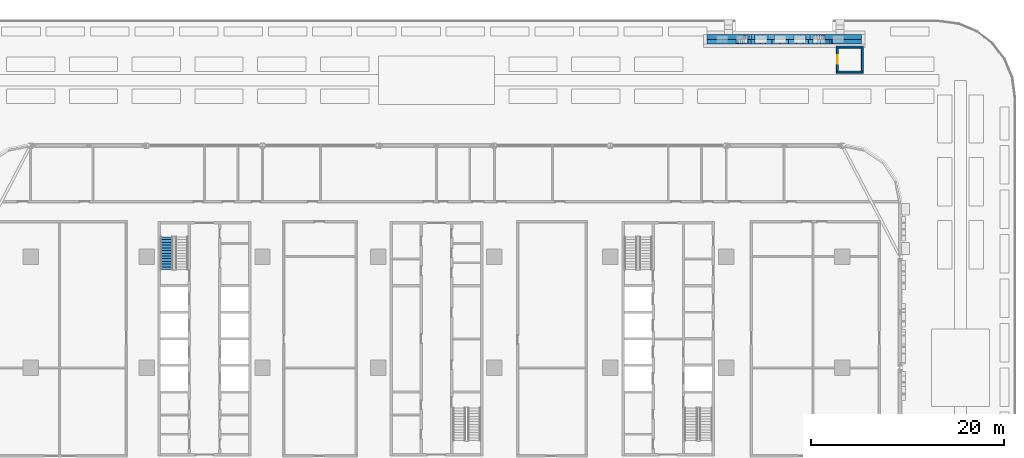
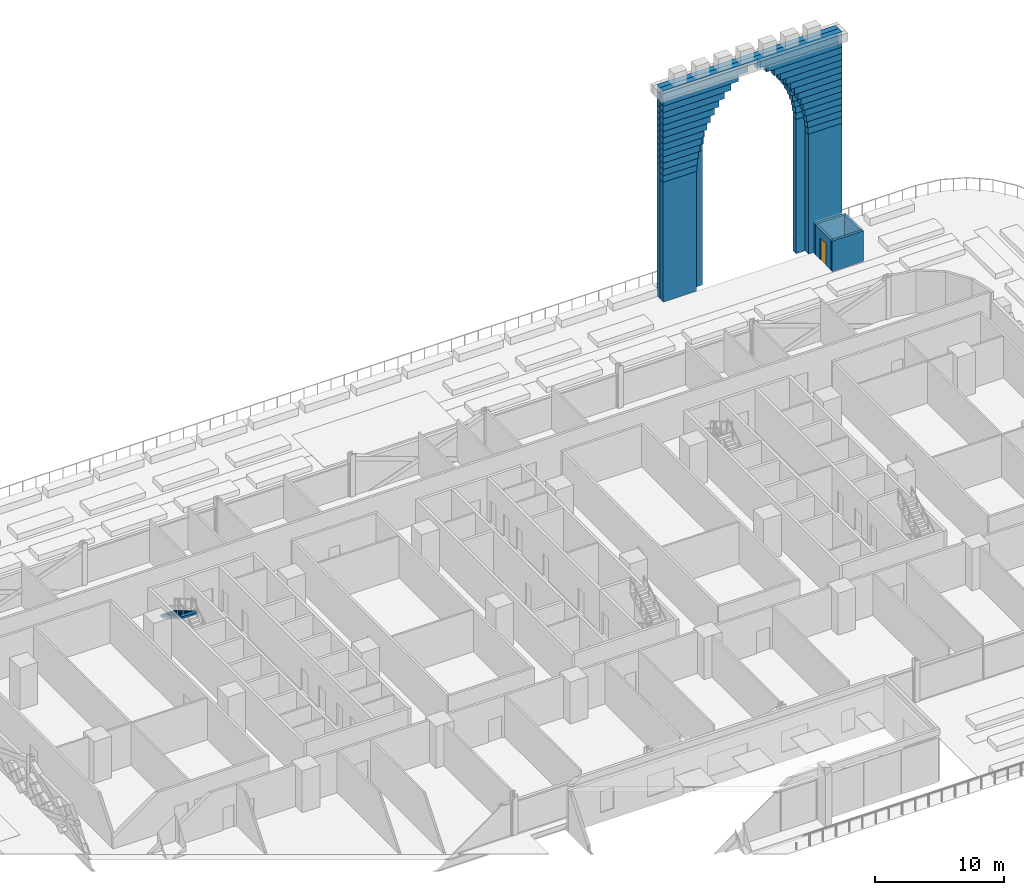
# One storey, part 18 of 39: 61 walls, 1 door, 1 stair flight, 1 opening, 1 element without a shape of its own.
"""IFC4 building model written with IfcOpenShell, lengths in metres."""

from ifc_helpers import new_model, si_unit, direction, frame, frame_2d, origin, place, context, subcontext, project, spatial, polyline, rectangle, outline, extrude, material, layer, layer_set, type_object, element, fill, aggregate, save


model = new_model("IFC4")

# Units and contexts
model_context = context("Model", 3, precision=1e-05, world=origin(), true_north=direction((0.0, 1.0)))
body_context = subcontext(model_context, "Body", "Model", "MODEL_VIEW")
ifc_project = project(units=[si_unit("LENGTHUNIT", "METRE"), si_unit("AREAUNIT", "SQUARE_METRE"), si_unit("VOLUMEUNIT", "CUBIC_METRE"), si_unit("PLANEANGLEUNIT", "RADIAN"), si_unit("MASSUNIT", "GRAM", prefix="KILO")], contexts=[model_context])

# Site, building, storey
site_placement = place(None, origin())
site = spatial("IfcSite", under=ifc_project, at=site_placement, CompositionType="ELEMENT")
building_placement = place(site_placement, origin())
building = spatial("IfcBuilding", under=site, at=building_placement, Name="Mahtab Terrace Research Tower", CompositionType="ELEMENT")
storey_placement = place(building_placement, frame((0.0, 0.0, 7.199951171875)))
storey = spatial("IfcBuildingStorey", under=building, at=storey_placement, Name="L01", CompositionType="ELEMENT", Elevation=7.199951171875)

# Walls
ifc_material_1 = material(Name="Concrete C40/50", Category="concrete")
ifc_layer_1 = layer(ifc_material_1, 0.199951171875)
ifc_layer_set_1 = layer_set([ifc_layer_1], Name="Deck kiosk wall 200")
wall_type_1 = type_object("IfcWallType", Name="Deck kiosk wall 200", PredefinedType="SOLIDWALL", material=ifc_layer_set_1)
for number, where, z_axis, x_axis, name in (
    (1, (41.39990234375, 30.60009765625, 0.0), (0.0, 0.0, 1.0), (1.0, 0.0, 0.0), "Deck kiosk wall PS2"),
    (2, (41.39990234375, 33.199951171875, 0.0), (0.0, 0.0, 1.0), (1.0, 0.0, 0.0), "Deck kiosk wall PS2"),
):
    element("IfcWall", number, at=place(storey_placement, frame(where, z_axis=z_axis, x_axis=x_axis)), inside=storey, type_object=wall_type_1, Name=name, PredefinedType="SOLIDWALL", context=body_context, shape_type="SweptSolid", body=[
        extrude(rectangle(XDim=2.800048828125, YDim=0.199951171875, at=frame_2d((1.39990234375, 0.0))), origin(), (0.0, 0.0, 1.0), 2.900146484375),
    ])

# Wall, opening, door
wall_1_placement = place(storey_placement, frame((41.5, 30.699951171875, 0.0), z_axis=(0.0, 0.0, 1.0), x_axis=(0.0, 1.0, 0.0)))
wall_1 = element("IfcWall", 3, at=wall_1_placement, inside=storey, type_object=wall_type_1, Name="Deck kiosk wall PS2", PredefinedType="SOLIDWALL", context=body_context, shape_type="SweptSolid", body=[
    extrude(rectangle(XDim=2.400146484375, YDim=0.199951171875, at=frame_2d((1.2001953125, 0.0))), origin(), (0.0, 0.0, 1.0), 2.900146484375),
])
opening_placement = place(wall_1_placement, frame((0.75, 0.0, 0.0)))
opening = element("IfcOpeningElement", 4, at=opening_placement, cuts=wall_1, Name="Opening DK-2", PredefinedType="OPENING", context=body_context, shape_type="SweptSolid", body=[
    extrude(rectangle(XDim=0.89990234375, YDim=2.10009765625, at=frame_2d((0.449951171875, 1.050048828125))), frame((0.0, 0.10986328125, 0.0), z_axis=(0.0, -1.0, 0.0), x_axis=(1.0, 0.0, 0.0)), (0.0, 0.0, 1.0), 0.219970703125),
])
ifc_material_2 = material(Name="Aluminium framed glazed door", Category="aluminium")
door_type = type_object("IfcDoorType", Name="Deck kiosk door 900x2100", OperationType="NOTDEFINED", PredefinedType="DOOR", material=ifc_material_2)
door_placement = place(opening_placement, origin())
door = element("IfcDoor", 5, at=door_placement, inside=storey, type_object=door_type, Name="Deck kiosk door PS2", OperationType="SINGLE_SWING_RIGHT", OverallHeight=2.10009765625, OverallWidth=0.89990234375, PredefinedType="DOOR", context=body_context, shape_type="SweptSolid", body=[
    extrude(rectangle(XDim=0.89990234375, YDim=2.10009765625, at=frame_2d((0.449951171875, 1.050048828125))), frame((0.0, 0.02490234375, 0.0), z_axis=(0.0, -1.0, 0.0), x_axis=(1.0, 0.0, 0.0)), (0.0, 0.0, 1.0), 0.050048828125),
])
fill(opening, door)

# Walls
wall_2_placement = place(storey_placement, frame((44.10009765625, 30.699951171875, 0.0), z_axis=(0.0, 0.0, 1.0), x_axis=(0.0, 1.0, 0.0)))
element("IfcWall", 6, at=wall_2_placement, inside=storey, type_object=wall_type_1, Name="Deck kiosk wall PS2", PredefinedType="SOLIDWALL", context=body_context, shape_type="SweptSolid", body=[
    extrude(rectangle(XDim=2.400146484375, YDim=0.199951171875, at=frame_2d((1.2001953125, 0.0))), origin(), (0.0, 0.0, 1.0), 2.900146484375),
])
ifc_material_3 = material(Name="Precast concrete C40/50", Category="concrete")
ifc_layer_2 = layer(ifc_material_3, 1.0)
ifc_layer_set_2 = layer_set([ifc_layer_2], Name="Iwan portal wall 1200")
wall_type_2 = type_object("IfcWallType", Name="Iwan portal wall 1200", PredefinedType="NOTDEFINED", material=ifc_layer_set_2)
wall_3_placement = place(storey_placement, origin())
element("IfcWall", 7, at=wall_3_placement, inside=storey, type_object=wall_type_2, Name="Iwan portal", PredefinedType="NOTDEFINED", context=body_context, shape_type="SweptSolid", body=[
    extrude(outline(polyline([(28.0, 33.5), (31.0, 33.5), (31.0, 34.0), (28.0, 34.0), (28.0, 33.5)])), origin(), (0.0, 0.0, 1.0), 11.33984375),
])
wall_4_placement = place(storey_placement, origin())
element("IfcWall", 8, at=wall_4_placement, inside=storey, type_object=wall_type_2, Name="Iwan portal", PredefinedType="NOTDEFINED", context=body_context, shape_type="SweptSolid", body=[
    extrude(outline(polyline([(41.0, 33.5), (44.0, 33.5), (44.0, 34.0), (41.0, 34.0), (41.0, 33.5)])), origin(), (0.0, 0.0, 1.0), 11.33984375),
])
wall_5_placement = place(storey_placement, frame((0.0, 0.0, 11.33984375)))
element("IfcWall", 9, at=wall_5_placement, inside=storey, type_object=wall_type_2, Name="Iwan portal", PredefinedType="NOTDEFINED", context=body_context, shape_type="SweptSolid", body=[
    extrude(outline(polyline([(28.0, 33.5), (31.01806640625, 33.5), (31.01806640625, 34.0), (28.0, 34.0), (28.0, 33.5)])), origin(), (0.0, 0.0, 1.0), 0.599853515625),
])
wall_6_placement = place(storey_placement, frame((0.0, 0.0, 11.33984375)))
element("IfcWall", 10, at=wall_6_placement, inside=storey, type_object=wall_type_2, Name="Iwan portal", PredefinedType="NOTDEFINED", context=body_context, shape_type="SweptSolid", body=[
    extrude(outline(polyline([(40.98193359375, 33.5), (44.0, 33.5), (44.0, 34.0), (40.98193359375, 34.0), (40.98193359375, 33.5)])), origin(), (0.0, 0.0, 1.0), 0.599853515625),
])
wall_7_placement = place(storey_placement, frame((0.0, 0.0, 11.939697265625)))
element("IfcWall", 11, at=wall_7_placement, inside=storey, type_object=wall_type_2, Name="Iwan portal", PredefinedType="NOTDEFINED", context=body_context, shape_type="SweptSolid", body=[
    extrude(outline(polyline([(28.0, 33.5), (31.072021484375, 33.5), (31.072021484375, 34.0), (28.0, 34.0), (28.0, 33.5)])), origin(), (0.0, 0.0, 1.0), 0.60009765625),
])
wall_8_placement = place(storey_placement, frame((0.0, 0.0, 11.939697265625)))
element("IfcWall", 12, at=wall_8_placement, inside=storey, type_object=wall_type_2, Name="Iwan portal", PredefinedType="NOTDEFINED", context=body_context, shape_type="SweptSolid", body=[
    extrude(outline(polyline([(40.927978515625, 33.5), (44.0, 33.5), (44.0, 34.0), (40.927978515625, 34.0), (40.927978515625, 33.5)])), origin(), (0.0, 0.0, 1.0), 0.60009765625),
])
wall_9_placement = place(storey_placement, frame((0.0, 0.0, 12.539794921875)))
element("IfcWall", 13, at=wall_9_placement, inside=storey, type_object=wall_type_2, Name="Iwan portal", PredefinedType="NOTDEFINED", context=body_context, shape_type="SweptSolid", body=[
    extrude(outline(polyline([(28.0, 33.5), (31.1630859375, 33.5), (31.1630859375, 34.0), (28.0, 34.0), (28.0, 33.5)])), origin(), (0.0, 0.0, 1.0), 0.599853515625),
])
wall_10_placement = place(storey_placement, frame((0.0, 0.0, 12.539794921875)))
element("IfcWall", 14, at=wall_10_placement, inside=storey, type_object=wall_type_2, Name="Iwan portal", PredefinedType="NOTDEFINED", context=body_context, shape_type="SweptSolid", body=[
    extrude(outline(polyline([(40.8369140625, 33.5), (44.0, 33.5), (44.0, 34.0), (40.8369140625, 34.0), (40.8369140625, 33.5)])), origin(), (0.0, 0.0, 1.0), 0.599853515625),
])
wall_11_placement = place(storey_placement, frame((0.0, 0.0, 13.1396484375)))
element("IfcWall", 15, at=wall_11_placement, inside=storey, type_object=wall_type_2, Name="Iwan portal", PredefinedType="NOTDEFINED", context=body_context, shape_type="SweptSolid", body=[
    extrude(outline(polyline([(28.0, 33.5), (31.2919921875, 33.5), (31.2919921875, 34.0), (28.0, 34.0), (28.0, 33.5)])), origin(), (0.0, 0.0, 1.0), 0.60009765625),
])
wall_12_placement = place(storey_placement, frame((0.0, 0.0, 13.1396484375)))
element("IfcWall", 16, at=wall_12_placement, inside=storey, type_object=wall_type_2, Name="Iwan portal", PredefinedType="NOTDEFINED", context=body_context, shape_type="SweptSolid", body=[
    extrude(outline(polyline([(40.7080078125, 33.5), (44.0, 33.5), (44.0, 34.0), (40.7080078125, 34.0), (40.7080078125, 33.5)])), origin(), (0.0, 0.0, 1.0), 0.60009765625),
])
wall_13_placement = place(storey_placement, frame((0.0, 0.0, 13.73974609375)))
element("IfcWall", 17, at=wall_13_placement, inside=storey, type_object=wall_type_2, Name="Iwan portal", PredefinedType="NOTDEFINED", context=body_context, shape_type="SweptSolid", body=[
    extrude(outline(polyline([(28.0, 33.5), (31.4609375, 33.5), (31.4609375, 34.0), (28.0, 34.0), (28.0, 33.5)])), origin(), (0.0, 0.0, 1.0), 0.60009765625),
])
wall_14_placement = place(storey_placement, frame((0.0, 0.0, 13.73974609375)))
element("IfcWall", 18, at=wall_14_placement, inside=storey, type_object=wall_type_2, Name="Iwan portal", PredefinedType="NOTDEFINED", context=body_context, shape_type="SweptSolid", body=[
    extrude(outline(polyline([(40.5390625, 33.5), (44.0, 33.5), (44.0, 34.0), (40.5390625, 34.0), (40.5390625, 33.5)])), origin(), (0.0, 0.0, 1.0), 0.60009765625),
])
wall_15_placement = place(storey_placement, frame((0.0, 0.0, 14.33984375)))
element("IfcWall", 19, at=wall_15_placement, inside=storey, type_object=wall_type_2, Name="Iwan portal", PredefinedType="NOTDEFINED", context=body_context, shape_type="SweptSolid", body=[
    extrude(outline(polyline([(28.0, 33.5), (31.669921875, 33.5), (31.669921875, 34.0), (28.0, 34.0), (28.0, 33.5)])), origin(), (0.0, 0.0, 1.0), 0.599853515625),
])
wall_16_placement = place(storey_placement, frame((0.0, 0.0, 14.33984375)))
element("IfcWall", 20, at=wall_16_placement, inside=storey, type_object=wall_type_2, Name="Iwan portal", PredefinedType="NOTDEFINED", context=body_context, shape_type="SweptSolid", body=[
    extrude(outline(polyline([(40.330078125, 33.5), (44.0, 33.5), (44.0, 34.0), (40.330078125, 34.0), (40.330078125, 33.5)])), origin(), (0.0, 0.0, 1.0), 0.599853515625),
])
wall_17_placement = place(storey_placement, frame((0.0, 0.0, 14.939697265625)))
element("IfcWall", 21, at=wall_17_placement, inside=storey, type_object=wall_type_2, Name="Iwan portal", PredefinedType="NOTDEFINED", context=body_context, shape_type="SweptSolid", body=[
    extrude(outline(polyline([(28.0, 33.5), (31.925048828125, 33.5), (31.925048828125, 34.0), (28.0, 34.0), (28.0, 33.5)])), origin(), (0.0, 0.0, 1.0), 0.60009765625),
])
wall_18_placement = place(storey_placement, frame((0.0, 0.0, 14.939697265625)))
element("IfcWall", 22, at=wall_18_placement, inside=storey, type_object=wall_type_2, Name="Iwan portal", PredefinedType="NOTDEFINED", context=body_context, shape_type="SweptSolid", body=[
    extrude(outline(polyline([(40.074951171875, 33.5), (44.0, 33.5), (44.0, 34.0), (40.074951171875, 34.0), (40.074951171875, 33.5)])), origin(), (0.0, 0.0, 1.0), 0.60009765625),
])
wall_19_placement = place(storey_placement, frame((0.0, 0.0, 15.539794921875)))
element("IfcWall", 23, at=wall_19_placement, inside=storey, type_object=wall_type_2, Name="Iwan portal", PredefinedType="NOTDEFINED", context=body_context, shape_type="SweptSolid", body=[
    extrude(outline(polyline([(28.0, 33.5), (32.22705078125, 33.5), (32.22705078125, 34.0), (28.0, 34.0), (28.0, 33.5)])), origin(), (0.0, 0.0, 1.0), 0.599853515625),
])
wall_20_placement = place(storey_placement, frame((0.0, 0.0, 15.539794921875)))
element("IfcWall", 24, at=wall_20_placement, inside=storey, type_object=wall_type_2, Name="Iwan portal", PredefinedType="NOTDEFINED", context=body_context, shape_type="SweptSolid", body=[
    extrude(outline(polyline([(39.77294921875, 33.5), (44.0, 33.5), (44.0, 34.0), (39.77294921875, 34.0), (39.77294921875, 33.5)])), origin(), (0.0, 0.0, 1.0), 0.599853515625),
])
wall_21_placement = place(storey_placement, frame((0.0, 0.0, 16.1396484375)))
element("IfcWall", 25, at=wall_21_placement, inside=storey, type_object=wall_type_2, Name="Iwan portal", PredefinedType="NOTDEFINED", context=body_context, shape_type="SweptSolid", body=[
    extrude(outline(polyline([(28.0, 33.5), (32.5830078125, 33.5), (32.5830078125, 34.0), (28.0, 34.0), (28.0, 33.5)])), origin(), (0.0, 0.0, 1.0), 0.60009765625),
])
wall_22_placement = place(storey_placement, frame((0.0, 0.0, 16.1396484375)))
element("IfcWall", 26, at=wall_22_placement, inside=storey, type_object=wall_type_2, Name="Iwan portal", PredefinedType="NOTDEFINED", context=body_context, shape_type="SweptSolid", body=[
    extrude(outline(polyline([(39.4169921875, 33.5), (44.0, 33.5), (44.0, 34.0), (39.4169921875, 34.0), (39.4169921875, 33.5)])), origin(), (0.0, 0.0, 1.0), 0.60009765625),
])
wall_23_placement = place(storey_placement, frame((0.0, 0.0, 16.73974609375)))
element("IfcWall", 27, at=wall_23_placement, inside=storey, type_object=wall_type_2, Name="Iwan portal", PredefinedType="NOTDEFINED", context=body_context, shape_type="SweptSolid", body=[
    extrude(outline(polyline([(28.0, 33.5), (33.0, 33.5), (33.0, 34.0), (28.0, 34.0), (28.0, 33.5)])), origin(), (0.0, 0.0, 1.0), 0.60009765625),
])
wall_24_placement = place(storey_placement, frame((0.0, 0.0, 16.73974609375)))
element("IfcWall", 28, at=wall_24_placement, inside=storey, type_object=wall_type_2, Name="Iwan portal", PredefinedType="NOTDEFINED", context=body_context, shape_type="SweptSolid", body=[
    extrude(outline(polyline([(39.0, 33.5), (44.0, 33.5), (44.0, 34.0), (39.0, 34.0), (39.0, 33.5)])), origin(), (0.0, 0.0, 1.0), 0.60009765625),
])
wall_25_placement = place(storey_placement, frame((0.0, 0.0, 17.33984375)))
element("IfcWall", 29, at=wall_25_placement, inside=storey, type_object=wall_type_2, Name="Iwan portal", PredefinedType="NOTDEFINED", context=body_context, shape_type="SweptSolid", body=[
    extrude(outline(polyline([(28.0, 33.5), (33.487060546875, 33.5), (33.487060546875, 34.0), (28.0, 34.0), (28.0, 33.5)])), origin(), (0.0, 0.0, 1.0), 0.599853515625),
])
wall_26_placement = place(storey_placement, frame((0.0, 0.0, 17.33984375)))
element("IfcWall", 30, at=wall_26_placement, inside=storey, type_object=wall_type_2, Name="Iwan portal", PredefinedType="NOTDEFINED", context=body_context, shape_type="SweptSolid", body=[
    extrude(outline(polyline([(38.512939453125, 33.5), (44.0, 33.5), (44.0, 34.0), (38.512939453125, 34.0), (38.512939453125, 33.5)])), origin(), (0.0, 0.0, 1.0), 0.599853515625),
])
wall_27_placement = place(storey_placement, frame((0.0, 0.0, 17.939697265625)))
element("IfcWall", 31, at=wall_27_placement, inside=storey, type_object=wall_type_2, Name="Iwan portal", PredefinedType="NOTDEFINED", context=body_context, shape_type="SweptSolid", body=[
    extrude(outline(polyline([(28.0, 33.5), (34.06005859375, 33.5), (34.06005859375, 34.0), (28.0, 34.0), (28.0, 33.5)])), origin(), (0.0, 0.0, 1.0), 0.60009765625),
])
wall_28_placement = place(storey_placement, frame((0.0, 0.0, 17.939697265625)))
element("IfcWall", 32, at=wall_28_placement, inside=storey, type_object=wall_type_2, Name="Iwan portal", PredefinedType="NOTDEFINED", context=body_context, shape_type="SweptSolid", body=[
    extrude(outline(polyline([(37.93994140625, 33.5), (44.0, 33.5), (44.0, 34.0), (37.93994140625, 34.0), (37.93994140625, 33.5)])), origin(), (0.0, 0.0, 1.0), 0.60009765625),
])
wall_29_placement = place(storey_placement, frame((0.0, 0.0, 18.539794921875)))
element("IfcWall", 33, at=wall_29_placement, inside=storey, type_object=wall_type_2, Name="Iwan portal", PredefinedType="NOTDEFINED", context=body_context, shape_type="SweptSolid", body=[
    extrude(outline(polyline([(28.0, 33.5), (34.741943359375, 33.5), (34.741943359375, 34.0), (28.0, 34.0), (28.0, 33.5)])), origin(), (0.0, 0.0, 1.0), 0.599853515625),
])
wall_30_placement = place(storey_placement, frame((0.0, 0.0, 18.539794921875)))
element("IfcWall", 34, at=wall_30_placement, inside=storey, type_object=wall_type_2, Name="Iwan portal", PredefinedType="NOTDEFINED", context=body_context, shape_type="SweptSolid", body=[
    extrude(outline(polyline([(37.258056640625, 33.5), (44.0, 33.5), (44.0, 34.0), (37.258056640625, 34.0), (37.258056640625, 33.5)])), origin(), (0.0, 0.0, 1.0), 0.599853515625),
])
wall_31_placement = place(storey_placement, frame((0.0, 0.0, 19.1396484375)))
element("IfcWall", 35, at=wall_31_placement, inside=storey, type_object=wall_type_2, Name="Iwan portal", PredefinedType="NOTDEFINED", context=body_context, shape_type="SweptSolid", body=[
    extrude(outline(polyline([(28.0, 33.5), (35.573974609375, 33.5), (35.573974609375, 34.0), (28.0, 34.0), (28.0, 33.5)])), origin(), (0.0, 0.0, 1.0), 0.60009765625),
])
wall_32_placement = place(storey_placement, frame((0.0, 0.0, 19.1396484375)))
element("IfcWall", 36, at=wall_32_placement, inside=storey, type_object=wall_type_2, Name="Iwan portal", PredefinedType="NOTDEFINED", context=body_context, shape_type="SweptSolid", body=[
    extrude(outline(polyline([(36.426025390625, 33.5), (44.0, 33.5), (44.0, 34.0), (36.426025390625, 34.0), (36.426025390625, 33.5)])), origin(), (0.0, 0.0, 1.0), 0.60009765625),
])
wall_33_placement = place(storey_placement, frame((0.0, 0.0, 19.73974609375)))
element("IfcWall", 37, at=wall_33_placement, inside=storey, type_object=wall_type_2, Name="Iwan portal", PredefinedType="NOTDEFINED", context=body_context, shape_type="SweptSolid", body=[
    extrude(outline(polyline([(28.0, 33.5), (44.0, 33.5), (44.0, 34.0), (28.0, 34.0), (28.0, 33.5)])), origin(), (0.0, 0.0, 1.0), 0.26025390625),
])
wall_34_placement = place(storey_placement, origin())
element("IfcWall", 38, at=wall_34_placement, inside=storey, type_object=wall_type_2, Name="Iwan portal", PredefinedType="NOTDEFINED", context=body_context, shape_type="SweptSolid", body=[
    extrude(outline(polyline([(28.0, 34.0), (31.800048828125, 34.0), (31.800048828125, 34.5), (28.0, 34.5), (28.0, 34.0)])), origin(), (0.0, 0.0, 1.0), 12.725341796875),
])
wall_35_placement = place(storey_placement, origin())
element("IfcWall", 39, at=wall_35_placement, inside=storey, type_object=wall_type_2, Name="Iwan portal", PredefinedType="NOTDEFINED", context=body_context, shape_type="SweptSolid", body=[
    extrude(outline(polyline([(40.199951171875, 34.0), (44.0, 34.0), (44.0, 34.5), (40.199951171875, 34.5), (40.199951171875, 34.0)])), origin(), (0.0, 0.0, 1.0), 12.725341796875),
])
wall_36_placement = place(storey_placement, frame((0.0, 0.0, 12.725341796875)))
element("IfcWall", 40, at=wall_36_placement, inside=storey, type_object=wall_type_2, Name="Iwan portal", PredefinedType="NOTDEFINED", context=body_context, shape_type="SweptSolid", body=[
    extrude(outline(polyline([(28.0, 34.0), (31.821044921875, 34.0), (31.821044921875, 34.5), (28.0, 34.5), (28.0, 34.0)])), origin(), (0.0, 0.0, 1.0), 0.60009765625),
])
wall_37_placement = place(storey_placement, frame((0.0, 0.0, 12.725341796875)))
element("IfcWall", 41, at=wall_37_placement, inside=storey, type_object=wall_type_2, Name="Iwan portal", PredefinedType="NOTDEFINED", context=body_context, shape_type="SweptSolid", body=[
    extrude(outline(polyline([(40.178955078125, 34.0), (44.0, 34.0), (44.0, 34.5), (40.178955078125, 34.5), (40.178955078125, 34.0)])), origin(), (0.0, 0.0, 1.0), 0.60009765625),
])
wall_38_placement = place(storey_placement, frame((0.0, 0.0, 13.325439453125)))
element("IfcWall", 42, at=wall_38_placement, inside=storey, type_object=wall_type_2, Name="Iwan portal", PredefinedType="NOTDEFINED", context=body_context, shape_type="SweptSolid", body=[
    extrude(outline(polyline([(28.0, 34.0), (31.885986328125, 34.0), (31.885986328125, 34.5), (28.0, 34.5), (28.0, 34.0)])), origin(), (0.0, 0.0, 1.0), 0.60009765625),
])
wall_39_placement = place(storey_placement, frame((0.0, 0.0, 13.325439453125)))
element("IfcWall", 43, at=wall_39_placement, inside=storey, type_object=wall_type_2, Name="Iwan portal", PredefinedType="NOTDEFINED", context=body_context, shape_type="SweptSolid", body=[
    extrude(outline(polyline([(40.114013671875, 34.0), (44.0, 34.0), (44.0, 34.5), (40.114013671875, 34.5), (40.114013671875, 34.0)])), origin(), (0.0, 0.0, 1.0), 0.60009765625),
])
wall_40_placement = place(storey_placement, frame((0.0, 0.0, 13.925537109375)))
element("IfcWall", 44, at=wall_40_placement, inside=storey, type_object=wall_type_2, Name="Iwan portal", PredefinedType="NOTDEFINED", context=body_context, shape_type="SweptSolid", body=[
    extrude(outline(polyline([(28.0, 34.0), (31.9951171875, 34.0), (31.9951171875, 34.5), (28.0, 34.5), (28.0, 34.0)])), origin(), (0.0, 0.0, 1.0), 0.599853515625),
])
wall_41_placement = place(storey_placement, frame((0.0, 0.0, 13.925537109375)))
element("IfcWall", 45, at=wall_41_placement, inside=storey, type_object=wall_type_2, Name="Iwan portal", PredefinedType="NOTDEFINED", context=body_context, shape_type="SweptSolid", body=[
    extrude(outline(polyline([(40.0048828125, 34.0), (44.0, 34.0), (44.0, 34.5), (40.0048828125, 34.5), (40.0048828125, 34.0)])), origin(), (0.0, 0.0, 1.0), 0.599853515625),
])
wall_42_placement = place(storey_placement, frame((0.0, 0.0, 14.525390625)))
element("IfcWall", 46, at=wall_42_placement, inside=storey, type_object=wall_type_2, Name="Iwan portal", PredefinedType="NOTDEFINED", context=body_context, shape_type="SweptSolid", body=[
    extrude(outline(polyline([(28.0, 34.0), (32.14990234375, 34.0), (32.14990234375, 34.5), (28.0, 34.5), (28.0, 34.0)])), origin(), (0.0, 0.0, 1.0), 0.60009765625),
])
wall_43_placement = place(storey_placement, frame((0.0, 0.0, 14.525390625)))
element("IfcWall", 47, at=wall_43_placement, inside=storey, type_object=wall_type_2, Name="Iwan portal", PredefinedType="NOTDEFINED", context=body_context, shape_type="SweptSolid", body=[
    extrude(outline(polyline([(39.85009765625, 34.0), (44.0, 34.0), (44.0, 34.5), (39.85009765625, 34.5), (39.85009765625, 34.0)])), origin(), (0.0, 0.0, 1.0), 0.60009765625),
])
wall_44_placement = place(storey_placement, frame((0.0, 0.0, 15.12548828125)))
element("IfcWall", 48, at=wall_44_placement, inside=storey, type_object=wall_type_2, Name="Iwan portal", PredefinedType="NOTDEFINED", context=body_context, shape_type="SweptSolid", body=[
    extrude(outline(polyline([(28.0, 34.0), (32.35400390625, 34.0), (32.35400390625, 34.5), (28.0, 34.5), (28.0, 34.0)])), origin(), (0.0, 0.0, 1.0), 0.599853515625),
])
wall_45_placement = place(storey_placement, frame((0.0, 0.0, 15.12548828125)))
element("IfcWall", 49, at=wall_45_placement, inside=storey, type_object=wall_type_2, Name="Iwan portal", PredefinedType="NOTDEFINED", context=body_context, shape_type="SweptSolid", body=[
    extrude(outline(polyline([(39.64599609375, 34.0), (44.0, 34.0), (44.0, 34.5), (39.64599609375, 34.5), (39.64599609375, 34.0)])), origin(), (0.0, 0.0, 1.0), 0.599853515625),
])
wall_46_placement = place(storey_placement, frame((0.0, 0.0, 15.725341796875)))
element("IfcWall", 50, at=wall_46_placement, inside=storey, type_object=wall_type_2, Name="Iwan portal", PredefinedType="NOTDEFINED", context=body_context, shape_type="SweptSolid", body=[
    extrude(outline(polyline([(28.0, 34.0), (32.611083984375, 34.0), (32.611083984375, 34.5), (28.0, 34.5), (28.0, 34.0)])), origin(), (0.0, 0.0, 1.0), 0.60009765625),
])
wall_47_placement = place(storey_placement, frame((0.0, 0.0, 15.725341796875)))
element("IfcWall", 51, at=wall_47_placement, inside=storey, type_object=wall_type_2, Name="Iwan portal", PredefinedType="NOTDEFINED", context=body_context, shape_type="SweptSolid", body=[
    extrude(outline(polyline([(39.388916015625, 34.0), (44.0, 34.0), (44.0, 34.5), (39.388916015625, 34.5), (39.388916015625, 34.0)])), origin(), (0.0, 0.0, 1.0), 0.60009765625),
])
wall_48_placement = place(storey_placement, frame((0.0, 0.0, 16.325439453125)))
element("IfcWall", 52, at=wall_48_placement, inside=storey, type_object=wall_type_2, Name="Iwan portal", PredefinedType="NOTDEFINED", context=body_context, shape_type="SweptSolid", body=[
    extrude(outline(polyline([(28.0, 34.0), (32.925048828125, 34.0), (32.925048828125, 34.5), (28.0, 34.5), (28.0, 34.0)])), origin(), (0.0, 0.0, 1.0), 0.60009765625),
])
wall_49_placement = place(storey_placement, frame((0.0, 0.0, 16.325439453125)))
element("IfcWall", 53, at=wall_49_placement, inside=storey, type_object=wall_type_2, Name="Iwan portal", PredefinedType="NOTDEFINED", context=body_context, shape_type="SweptSolid", body=[
    extrude(outline(polyline([(39.074951171875, 34.0), (44.0, 34.0), (44.0, 34.5), (39.074951171875, 34.5), (39.074951171875, 34.0)])), origin(), (0.0, 0.0, 1.0), 0.60009765625),
])
wall_50_placement = place(storey_placement, frame((0.0, 0.0, 16.925537109375)))
element("IfcWall", 54, at=wall_50_placement, inside=storey, type_object=wall_type_2, Name="Iwan portal", PredefinedType="NOTDEFINED", context=body_context, shape_type="SweptSolid", body=[
    extrude(outline(polyline([(28.0, 34.0), (33.306884765625, 34.0), (33.306884765625, 34.5), (28.0, 34.5), (28.0, 34.0)])), origin(), (0.0, 0.0, 1.0), 0.599853515625),
])
wall_51_placement = place(storey_placement, frame((0.0, 0.0, 16.925537109375)))
element("IfcWall", 55, at=wall_51_placement, inside=storey, type_object=wall_type_2, Name="Iwan portal", PredefinedType="NOTDEFINED", context=body_context, shape_type="SweptSolid", body=[
    extrude(outline(polyline([(38.693115234375, 34.0), (44.0, 34.0), (44.0, 34.5), (38.693115234375, 34.5), (38.693115234375, 34.0)])), origin(), (0.0, 0.0, 1.0), 0.599853515625),
])
wall_52_placement = place(storey_placement, frame((0.0, 0.0, 17.525390625)))
element("IfcWall", 56, at=wall_52_placement, inside=storey, type_object=wall_type_2, Name="Iwan portal", PredefinedType="NOTDEFINED", context=body_context, shape_type="SweptSolid", body=[
    extrude(outline(polyline([(28.0, 34.0), (33.76611328125, 34.0), (33.76611328125, 34.5), (28.0, 34.5), (28.0, 34.0)])), origin(), (0.0, 0.0, 1.0), 0.60009765625),
])
wall_53_placement = place(storey_placement, frame((0.0, 0.0, 17.525390625)))
element("IfcWall", 57, at=wall_53_placement, inside=storey, type_object=wall_type_2, Name="Iwan portal", PredefinedType="NOTDEFINED", context=body_context, shape_type="SweptSolid", body=[
    extrude(outline(polyline([(38.23388671875, 34.0), (44.0, 34.0), (44.0, 34.5), (38.23388671875, 34.5), (38.23388671875, 34.0)])), origin(), (0.0, 0.0, 1.0), 0.60009765625),
])
wall_54_placement = place(storey_placement, frame((0.0, 0.0, 18.12548828125)))
element("IfcWall", 58, at=wall_54_placement, inside=storey, type_object=wall_type_2, Name="Iwan portal", PredefinedType="NOTDEFINED", context=body_context, shape_type="SweptSolid", body=[
    extrude(outline(polyline([(28.0, 34.0), (34.321044921875, 34.0), (34.321044921875, 34.5), (28.0, 34.5), (28.0, 34.0)])), origin(), (0.0, 0.0, 1.0), 0.599853515625),
])
wall_55_placement = place(storey_placement, frame((0.0, 0.0, 18.12548828125)))
element("IfcWall", 59, at=wall_55_placement, inside=storey, type_object=wall_type_2, Name="Iwan portal", PredefinedType="NOTDEFINED", context=body_context, shape_type="SweptSolid", body=[
    extrude(outline(polyline([(37.678955078125, 34.0), (44.0, 34.0), (44.0, 34.5), (37.678955078125, 34.5), (37.678955078125, 34.0)])), origin(), (0.0, 0.0, 1.0), 0.599853515625),
])
wall_56_placement = place(storey_placement, frame((0.0, 0.0, 18.725341796875)))
element("IfcWall", 60, at=wall_56_placement, inside=storey, type_object=wall_type_2, Name="Iwan portal", PredefinedType="NOTDEFINED", context=body_context, shape_type="SweptSolid", body=[
    extrude(outline(polyline([(28.0, 34.0), (35.00390625, 34.0), (35.00390625, 34.5), (28.0, 34.5), (28.0, 34.0)])), origin(), (0.0, 0.0, 1.0), 0.60009765625),
])
wall_57_placement = place(storey_placement, frame((0.0, 0.0, 18.725341796875)))
element("IfcWall", 61, at=wall_57_placement, inside=storey, type_object=wall_type_2, Name="Iwan portal", PredefinedType="NOTDEFINED", context=body_context, shape_type="SweptSolid", body=[
    extrude(outline(polyline([(36.99609375, 34.0), (44.0, 34.0), (44.0, 34.5), (36.99609375, 34.5), (36.99609375, 34.0)])), origin(), (0.0, 0.0, 1.0), 0.60009765625),
])
wall_58_placement = place(storey_placement, frame((0.0, 0.0, 19.325439453125)))
element("IfcWall", 62, at=wall_58_placement, inside=storey, type_object=wall_type_2, Name="Iwan portal", PredefinedType="NOTDEFINED", context=body_context, shape_type="SweptSolid", body=[
    extrude(outline(polyline([(28.0, 34.0), (44.0, 34.0), (44.0, 34.5), (28.0, 34.5), (28.0, 34.0)])), origin(), (0.0, 0.0, 1.0), 0.60009765625),
])
wall_59_placement = place(storey_placement, frame((0.0, 0.0, 19.925537109375)))
element("IfcWall", 63, at=wall_59_placement, inside=storey, type_object=wall_type_2, Name="Iwan portal", PredefinedType="NOTDEFINED", context=body_context, shape_type="SweptSolid", body=[
    extrude(outline(polyline([(28.0, 34.0), (44.0, 34.0), (44.0, 34.5), (28.0, 34.5), (28.0, 34.0)])), origin(), (0.0, 0.0, 1.0), 0.074462890625),
])

# Stair, stair flight
ifc_material_4 = material(Name="Exit stair half-turn")
stair_type = type_object("IfcStairType", Name="Exit stair half-turn", PredefinedType="HALF_TURN_STAIR", material=ifc_material_4)
stair_placement = place(storey_placement, origin())
stair = element("IfcStair", 64, at=stair_placement, inside=storey, type_object=stair_type, Name="L01 Protected exit stair ST1", PredefinedType="HALF_TURN_STAIR")
stair_flight_type = type_object("IfcStairFlightType", Name="Exit stair flight 1300", PredefinedType="STRAIGHT", material=ifc_material_1)
stair_flight_placement = place(storey_placement, frame((-27.89990234375, 13.534912109375, 2.150146484375), z_axis=(0.0, 0.0, 1.0), x_axis=(0.0, -1.0, 0.0)))
stair_flight = element("IfcStairFlight", 65, at=stair_flight_placement, type_object=stair_flight_type, Name="ST1 flight 2", NumberOfRisers=13, NumberOfTreads=12, PredefinedType="STRAIGHT", RiserHeight=0.165384615, TreadLength=0.28, context=body_context, shape_type="SweptSolid", body=[
    extrude(outline(polyline([(0.0, 0.0), (0.0, 0.165283203125), (0.280029296875, 0.165283203125), (0.280029296875, 0.330810546875), (0.56005859375, 0.330810546875), (0.56005859375, 0.49609375), (0.840087890625, 0.49609375), (0.840087890625, 0.66162109375), (1.1201171875, 0.66162109375), (1.1201171875, 0.826904296875), (1.39990234375, 0.826904296875), (1.39990234375, 0.9921875), (1.679931640625, 0.9921875), (1.679931640625, 1.15771484375), (1.9599609375, 1.15771484375), (1.9599609375, 1.322998046875), (2.239990234375, 1.322998046875), (2.239990234375, 1.488525390625), (2.52001953125, 1.488525390625), (2.52001953125, 1.65380859375), (2.800048828125, 1.65380859375), (2.800048828125, 1.8193359375), (3.080078125, 1.8193359375), (3.080078125, 1.984619140625), (3.360107421875, 1.984619140625), (3.360107421875, 2.14990234375), (3.360107421875, 1.810546875), (0.294677734375, 0.0), (0.0, 0.0)])), frame((0.0, 0.64990234375, 0.0), z_axis=(0.0, -1.0, 0.0), x_axis=(1.0, 0.0, 0.0)), (0.0, 0.0, 1.0), 1.300048828125),
])
aggregate(stair, [stair_flight])

save(model, "model.ifc")
